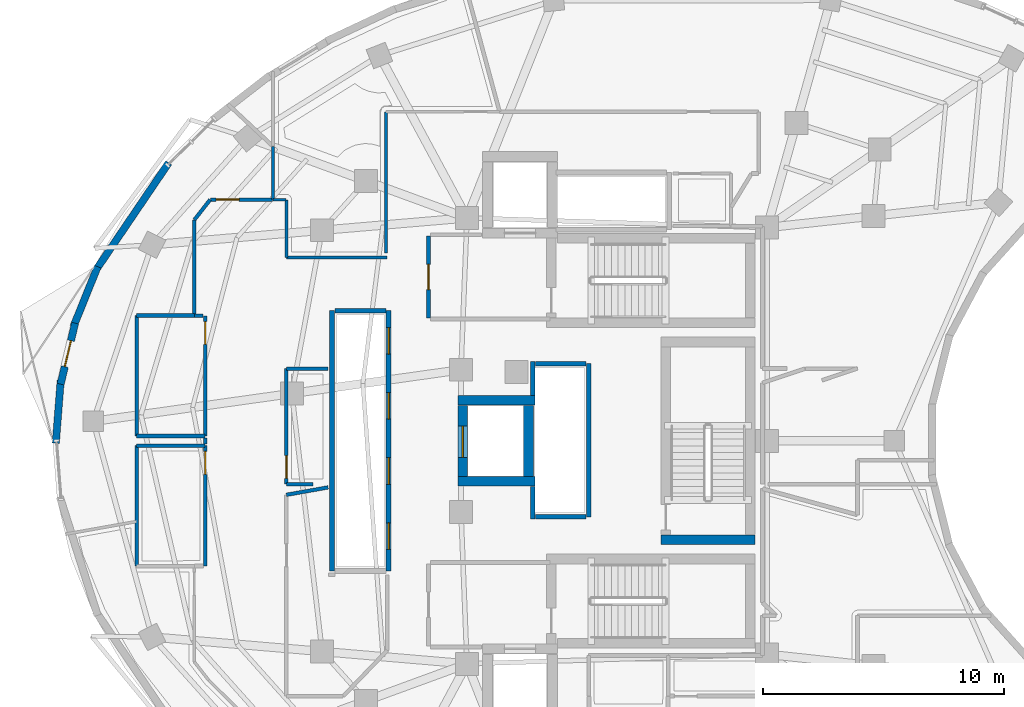
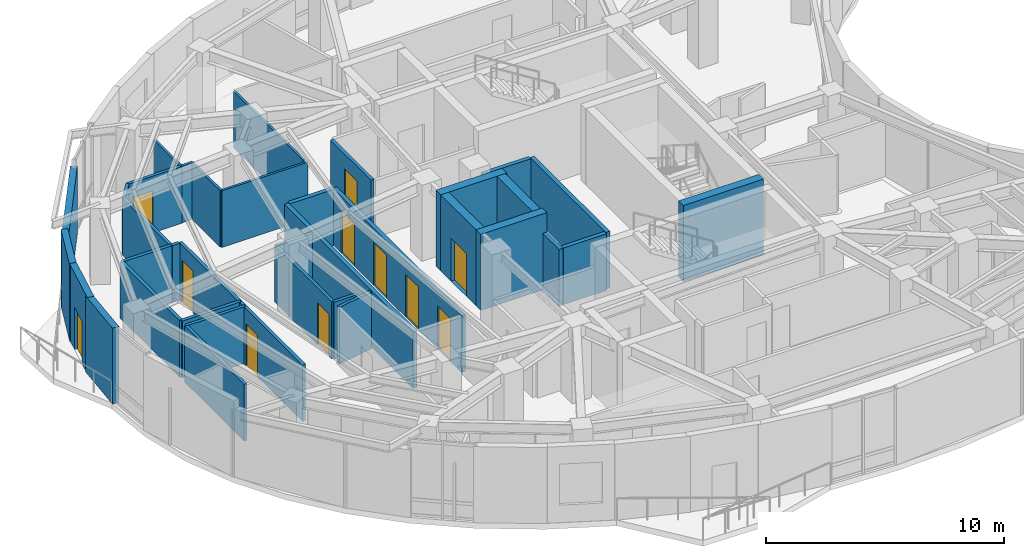
# One storey, part 8 of 14: 39 walls, 11 doors, 11 openings.
"""IFC4 building model written with IfcOpenShell, lengths in metres."""

import ifcopenshell
import ifcopenshell.guid

model = None  # the IFC model being written
_history = None  # IfcOwnerHistory: only IFC2X3 demands one
_inside = {}  # id of a spatial element -> (the spatial element, [elements in it])
_under = {}  # id of a project, library or spatial element -> (it, [spatial elements below it])
_declared = {}  # id of a project -> (the project, [libraries it declares])
_typed = {}  # id of a type object -> (the type object, [elements of that type])
_made_of = {}  # id of a material, layer set ... -> (it, [elements and type objects made of it])


def new_model(schema):
    """Start an empty IFC model of exactly this schema.

    Asked for "IFC4X3", IfcOpenShell would pick the latest addendum, in which some entities
    have other attributes; the version numbers below select the first issue.
    IFC2X3 requires an IfcOwnerHistory on every rooted entity: one is made here for all.
    """
    global model, _history
    if schema == "IFC4X3":
        model = ifcopenshell.file(schema_version=(4, 3, 0, 0))
    else:
        model = ifcopenshell.file(schema=schema)
    _inside.clear()
    _under.clear()
    _declared.clear()
    _typed.clear()
    _made_of.clear()
    _history = None
    if model.schema == "IFC2X3":
        org = make("IfcOrganization", Name="unknown")
        user = make(
            "IfcPersonAndOrganization",
            ThePerson=make("IfcPerson", FamilyName="unknown"),
            TheOrganization=org,
        )
        app = make(
            "IfcApplication",
            ApplicationDeveloper=org,
            Version="unknown",
            ApplicationFullName="unknown",
            ApplicationIdentifier="unknown",
        )
        _history = make(
            "IfcOwnerHistory",
            OwningUser=user,
            OwningApplication=app,
            ChangeAction="ADDED",
            CreationDate=0,
        )
    return model


def make(cls, **values):
    """One entity of the class cls with the attributes given. An attribute that is None is left unset."""
    return model.create_entity(
        cls, **{name: value for name, value in values.items() if value is not None}
    )


def rooted(cls, **values):
    """An entity with a GlobalId (a new one), such as an element, a storey or a relation."""
    return make(cls, GlobalId=ifcopenshell.guid.new(), OwnerHistory=_history, **values)


def si_unit(unit_type, name, prefix=None):
    """IfcSIUnit, for example si_unit("LENGTHUNIT", "METRE", prefix="MILLI")."""
    return make("IfcSIUnit", UnitType=unit_type, Prefix=prefix, Name=name)


def assignment(units):
    """IfcUnitAssignment: the units of a project."""
    return None if units is None else make("IfcUnitAssignment", Units=units)


def point(xyz):
    """IfcCartesianPoint."""
    return None if xyz is None else make("IfcCartesianPoint", Coordinates=xyz)


def direction(xyz):
    """IfcDirection."""
    return None if xyz is None else make("IfcDirection", DirectionRatios=xyz)


def frame(location, z_axis=None, x_axis=None):
    """IfcAxis2Placement3D, a coordinate frame: its origin and axes. An axis left out is left unset."""
    return make(
        "IfcAxis2Placement3D",
        Location=point(location),
        Axis=direction(z_axis),
        RefDirection=direction(x_axis),
    )


def frame_2d(location, x_axis=None):
    """IfcAxis2Placement2D, a coordinate frame in the plane: its origin and x axis."""
    return make(
        "IfcAxis2Placement2D", Location=point(location), RefDirection=direction(x_axis)
    )


def origin():
    """The frame at (0, 0, 0) with its axes left unset."""
    return frame((0.0, 0.0, 0.0))


def place(relative_to, where):
    """IfcLocalPlacement: puts the frame where relative to a parent placement (None: the world)."""
    return make(
        "IfcLocalPlacement", PlacementRelTo=relative_to, RelativePlacement=where
    )


def context(
    kind, dimensions, precision=None, world=None, true_north=None, identifier=None
):
    """IfcGeometricRepresentationContext, for example the 3D "Model" context."""
    return make(
        "IfcGeometricRepresentationContext",
        ContextIdentifier=identifier,
        ContextType=kind,
        CoordinateSpaceDimension=dimensions,
        Precision=precision,
        WorldCoordinateSystem=world,
        TrueNorth=true_north,
    )


def subcontext(parent, identifier, kind, view, scale=None):
    """IfcGeometricRepresentationSubContext, for example "Body" below "Model"."""
    return make(
        "IfcGeometricRepresentationSubContext",
        ContextIdentifier=identifier,
        ContextType=kind,
        ParentContext=parent,
        TargetScale=scale,
        TargetView=view,
    )


def project(units=None, contexts=None):
    """IfcProject with its units and contexts."""
    return rooted(
        "IfcProject",
        Name="project",
        RepresentationContexts=contexts,
        UnitsInContext=assignment(units),
    )


def spatial(cls, under=None, at=None, **own):
    """A site, building, storey or space (cls), placed at a placement, below another one or the project."""
    s = rooted(cls, ObjectPlacement=at, **own)
    if under is not None:
        _under.setdefault(under.id(), (under, []))[1].append(s)
    return s


def profile(cls, at=None, kind="AREA", **sizes):
    """A parametric profile (cls). Its sizes go by their IFC names, for example OverallWidth=200.0."""
    return make(cls, ProfileType=kind, Position=at, **sizes)


def rectangle(**sizes):
    """IfcRectangleProfileDef."""
    return profile("IfcRectangleProfileDef", **sizes)


def extrude(swept, where, along, depth):
    """IfcExtrudedAreaSolid: the profile swept, set in the frame where, extruded along a direction by depth."""
    return make(
        "IfcExtrudedAreaSolid",
        SweptArea=swept,
        Position=where,
        ExtrudedDirection=direction(along),
        Depth=depth,
    )


def shape(context_of_items, identifier, shape_type, items):
    """IfcShapeRepresentation: the items that make up one representation, for example the "Body"."""
    return make(
        "IfcShapeRepresentation",
        ContextOfItems=context_of_items,
        RepresentationIdentifier=identifier,
        RepresentationType=shape_type,
        Items=items,
    )


def material(Name=None, Category=None):
    """IfcMaterial."""
    return make("IfcMaterial", Name=Name, Category=Category)


def layer(
    of_material, thickness, ventilated=None, Name=None, Category=None, Priority=None
):
    """IfcMaterialLayer: one layer of a wall or slab, of a material (None: an air gap)."""
    return make(
        "IfcMaterialLayer",
        Material=of_material,
        LayerThickness=thickness,
        IsVentilated=ventilated,
        Name=Name,
        Category=Category,
        Priority=Priority,
    )


def layer_set(layers, Name=None):
    """IfcMaterialLayerSet."""
    return make("IfcMaterialLayerSet", MaterialLayers=layers, LayerSetName=Name)


def made_of(thing, what):
    """Note that an element or type object is made of a material, layer set ...; save() writes the relation."""
    if what is not None:
        _made_of.setdefault(what.id(), (what, []))[1].append(thing)
    return thing


def type_object(cls, material=None, **own):
    """A type object (cls), such as IfcWallType, which elements share."""
    return made_of(rooted(cls, **own), material)


def element(
    cls,
    number,
    at=None,
    inside=None,
    cuts=None,
    type_object=None,
    material=None,
    context=None,
    identifier="Body",
    shape_type=None,
    held_by="IfcProductDefinitionShape",
    body=None,
    shapes=None,
    **own,
):
    """One element of the class cls, such as IfcWall. Its Tag is "e" and its number.

    at: its placement. inside: the storey or other place that contains it. cuts: it is an
    opening in that element (IfcRelVoidsElement). A single representation is given by context,
    identifier, shape_type and body (its items); several are given by shapes. held_by: the class
    of the entity that holds the representations. save() writes the other relations.
    """
    e = rooted(cls, Tag="e%d" % number, ObjectPlacement=at, **own)
    if body is not None:
        shapes = [shape(context, identifier, shape_type, body)]
    if shapes is not None:
        e.Representation = make(held_by, Representations=shapes)
    if inside is not None:
        _inside.setdefault(inside.id(), (inside, []))[1].append(e)
    if cuts is not None:
        rooted(
            "IfcRelVoidsElement", RelatingBuildingElement=cuts, RelatedOpeningElement=e
        )
    if type_object is not None:
        _typed.setdefault(type_object.id(), (type_object, []))[1].append(e)
    return made_of(e, material)


def fill(opening, filler):
    """IfcRelFillsElement: the door or window that sits in an opening."""
    return rooted(
        "IfcRelFillsElement",
        RelatingOpeningElement=opening,
        RelatedBuildingElement=filler,
    )


def aggregate(whole, parts):
    """IfcRelAggregates: a whole, such as a stair, and the parts it consists of."""
    return rooted("IfcRelAggregates", RelatingObject=whole, RelatedObjects=parts)


def save(model, path):
    """Write the relations noted so far, then the file.

    IfcRelAggregates (storeys below a building ...), IfcRelContainedInSpatialStructure (elements
    in a storey), IfcRelDefinesByType, IfcRelAssociatesMaterial and IfcRelDeclares: one each for
    every whole, place, type object, material and project.
    """
    for whole, parts in _under.values():
        aggregate(whole, parts)
    for where, things in _inside.values():
        rooted(
            "IfcRelContainedInSpatialStructure",
            RelatedElements=things,
            RelatingStructure=where,
        )
    for kind, things in _typed.values():
        rooted("IfcRelDefinesByType", RelatedObjects=things, RelatingType=kind)
    for what, things in _made_of.values():
        rooted("IfcRelAssociatesMaterial", RelatedObjects=things, RelatingMaterial=what)
    for by, libraries in _declared.values():
        rooted("IfcRelDeclares", RelatingContext=by, RelatedDefinitions=libraries)
    model.write(path)


model = new_model("IFC4")

# Units and contexts
model_context = context("Model", 3, precision=1e-05, world=origin(), true_north=direction((0.0, 1.0)))
body_context = subcontext(model_context, "Body", "Model", "MODEL_VIEW")
ifc_project = project(units=[si_unit("LENGTHUNIT", "METRE"), si_unit("AREAUNIT", "SQUARE_METRE"), si_unit("VOLUMEUNIT", "CUBIC_METRE"), si_unit("PLANEANGLEUNIT", "RADIAN"), si_unit("MASSUNIT", "GRAM", prefix="KILO")], contexts=[model_context])

# Site, building, storey
site_placement = place(None, origin())
site = spatial("IfcSite", under=ifc_project, at=site_placement, CompositionType="ELEMENT")
building_placement = place(site_placement, origin())
building = spatial("IfcBuilding", under=site, at=building_placement, Name="Korentha Bioscience Tower", CompositionType="ELEMENT")
storey_placement = place(building_placement, frame((0.0, 0.0, 264.60009765625)))
storey = spatial("IfcBuildingStorey", under=building, at=storey_placement, Name="L61", CompositionType="ELEMENT", Elevation=264.60009765625)

# Wall, opening, door
ifc_material_1 = material(Name="Double-Stud Acoustic Gypsum", Category="gypsum")
ifc_layer_1 = layer(ifc_material_1, 0.14990234375, Name="Double-Stud Acoustic Gypsum")
ifc_layer_set_1 = layer_set([ifc_layer_1], Name="Double-Stud Acoustic Gypsum (IW-L150)")
wall_type_1 = type_object("IfcWallType", Name="Acoustic Laboratory Partition Wall 150", PredefinedType="PARTITIONING", material=ifc_layer_set_1)
wall_1_placement = place(storey_placement, frame((14.239990234375, 26.800048828125, 0.0), z_axis=(0.0, 0.0, 1.0), x_axis=(0.0, -1.0, 0.0)))
wall_1 = element("IfcWall", 1, at=wall_1_placement, inside=storey, type_object=wall_type_1, Name="L61 Reclaimed Bank-1 Cold Freezer Alcove Entrance Wall", PredefinedType="PARTITIONING", context=body_context, shape_type="SweptSolid", body=[
    extrude(rectangle(XDim=4.989990234375, YDim=0.14990234375, at=frame_2d((2.4951171875, 0.0))), origin(), (0.0, 0.0, 1.0), 2.909912109375),
])
opening_1_placement = place(wall_1_placement, frame((0.239990234375, 0.0, 0.0)))
opening_1 = element("IfcOpeningElement", 2, at=opening_1_placement, cuts=wall_1, Name="Opening ID-10R", PredefinedType="OPENING", context=body_context, shape_type="SweptSolid", body=[
    extrude(rectangle(XDim=0.949951171875, YDim=2.14990234375, at=frame_2d((0.47509765625, 1.074951171875))), frame((0.0, 0.08984375, 0.0), z_axis=(0.0, -1.0, 0.0), x_axis=(1.0, 0.0, 0.0)), (0.0, 0.0, 1.0), 0.1796875),
])
ifc_material_2 = material(Name="Phenolic Laminate Timber Core", Category="wood")
door_type_1 = type_object("IfcDoorType", Name="Laboratory Single Leaf Door 950x2150 Right", OperationType="SINGLE_SWING_RIGHT", PredefinedType="DOOR", material=ifc_material_2)
door_1_placement = place(opening_1_placement, origin())
door_1 = element("IfcDoor", 3, at=door_1_placement, inside=storey, type_object=door_type_1, Name="L61 Reclaimed Bank-1 Cold Freezer Alcove Door", OperationType="SINGLE_SWING_RIGHT", OverallHeight=2.14990234375, OverallWidth=0.949951171875, PredefinedType="DOOR", context=body_context, shape_type="SweptSolid", body=[
    extrude(rectangle(XDim=0.949951171875, YDim=2.14990234375, at=frame_2d((0.47509765625, 1.074951171875))), frame((0.0, 0.02490234375, 0.0), z_axis=(0.0, -1.0, 0.0), x_axis=(1.0, 0.0, 0.0)), (0.0, 0.0, 1.0), 0.050048828125),
])
fill(opening_1, door_1)

wall_2_placement = place(storey_placement, frame((17.0419921875, 37.010009765625, 0.0), z_axis=(0.0, 0.0, 1.0), x_axis=(-1.0, 0.0, 0.0)))
wall_2 = element("IfcWall", 4, at=wall_2_placement, inside=storey, type_object=wall_type_1, Name="L61 Peer-Review Conference Room 10 Entrance Wall", PredefinedType="PARTITIONING", context=body_context, shape_type="SweptSolid", body=[
    extrude(rectangle(XDim=2.58935546875, YDim=0.14990234375, at=frame_2d((1.294677734375, 0.0))), origin(), (0.0, 0.0, 1.0), 2.909912109375),
])
opening_2_placement = place(wall_2_placement, frame((1.3994140625, 0.0, 0.0)))
opening_2 = element("IfcOpeningElement", 5, at=opening_2_placement, cuts=wall_2, Name="Opening ID-10L", PredefinedType="OPENING", context=body_context, shape_type="SweptSolid", body=[
    extrude(rectangle(XDim=0.949951171875, YDim=2.14990234375, at=frame_2d((0.47509765625, 1.074951171875))), frame((0.0, 0.08984375, 0.0), z_axis=(0.0, -1.0, 0.0), x_axis=(1.0, 0.0, 0.0)), (0.0, 0.0, 1.0), 0.1796875),
])
door_type_2 = type_object("IfcDoorType", Name="Laboratory Single Leaf Door 950x2150 Left", OperationType="SINGLE_SWING_LEFT", PredefinedType="DOOR", material=ifc_material_2)
door_2_placement = place(opening_2_placement, origin())
door_2 = element("IfcDoor", 6, at=door_2_placement, inside=storey, type_object=door_type_2, Name="L61 Peer-Review Conference Room 10 Door", OperationType="SINGLE_SWING_LEFT", OverallHeight=2.14990234375, OverallWidth=0.949951171875, PredefinedType="DOOR", context=body_context, shape_type="SweptSolid", body=[
    extrude(rectangle(XDim=0.949951171875, YDim=2.14990234375, at=frame_2d((0.47509765625, 1.074951171875))), frame((0.0, 0.02490234375, 0.0), z_axis=(0.0, -1.0, 0.0), x_axis=(1.0, 0.0, 0.0)), (0.0, 0.0, 1.0), 0.050048828125),
])
fill(opening_2, door_2)

wall_3_placement = place(storey_placement, frame((17.610107421875, 25.201904296875, 0.0), z_axis=(0.0, 0.0, 1.0), x_axis=(0.0, 1.0, 0.0)))
wall_3 = element("IfcWall", 7, at=wall_3_placement, inside=storey, type_object=wall_type_1, Name="L61 Staff Tea and Espresso Break Lounge 11 Entrance Wall", PredefinedType="PARTITIONING", context=body_context, shape_type="SweptSolid", body=[
    extrude(rectangle(XDim=4.796142578125, YDim=0.14990234375, at=frame_2d((2.39794921875, 0.0))), origin(), (0.0, 0.0, 1.0), 2.909912109375),
])
opening_3_placement = place(wall_3_placement, frame((0.239990234375, 0.0, 0.0)))
opening_3 = element("IfcOpeningElement", 8, at=opening_3_placement, cuts=wall_3, Name="Opening ID-10R", PredefinedType="OPENING", context=body_context, shape_type="SweptSolid", body=[
    extrude(rectangle(XDim=0.949951171875, YDim=2.14990234375, at=frame_2d((0.47509765625, 1.074951171875))), frame((0.0, 0.08984375, 0.0), z_axis=(0.0, -1.0, 0.0), x_axis=(1.0, 0.0, 0.0)), (0.0, 0.0, 1.0), 0.1796875),
])
door_3_placement = place(opening_3_placement, origin())
door_3 = element("IfcDoor", 9, at=door_3_placement, inside=storey, type_object=door_type_1, Name="L61 Staff Tea and Espresso Break Lounge 11 Door", OperationType="SINGLE_SWING_RIGHT", OverallHeight=2.14990234375, OverallWidth=0.949951171875, PredefinedType="DOOR", context=body_context, shape_type="SweptSolid", body=[
    extrude(rectangle(XDim=0.949951171875, YDim=2.14990234375, at=frame_2d((0.47509765625, 1.074951171875))), frame((0.0, 0.02490234375, 0.0), z_axis=(0.0, -1.0, 0.0), x_axis=(1.0, 0.0, 0.0)), (0.0, 0.0, 1.0), 0.050048828125),
])
fill(opening_3, door_3)

# Walls
wall_4_placement = place(storey_placement, frame((11.39990234375, 21.800048828125, 0.0), z_axis=(0.0, 0.0, 1.0), x_axis=(0.0, 1.0, 0.0)))
element("IfcWall", 10, at=wall_4_placement, inside=storey, type_object=wall_type_1, Name="L61 Interior Partition 025", PredefinedType="PARTITIONING", context=body_context, shape_type="SweptSolid", body=[
    extrude(rectangle(XDim=5.0, YDim=0.14990234375, at=frame_2d((2.5, 0.0))), origin(), (0.0, 0.0, 1.0), 2.909912109375),
])
wall_5_placement = place(storey_placement, frame((11.39990234375, 26.800048828125, 0.0), z_axis=(0.0, 0.0, 1.0), x_axis=(1.0, 0.0, 0.0)))
element("IfcWall", 11, at=wall_5_placement, inside=storey, type_object=wall_type_1, Name="L61 Interior Partition 026", PredefinedType="PARTITIONING", context=body_context, shape_type="SweptSolid", body=[
    extrude(rectangle(XDim=2.840087890625, YDim=0.14990234375, at=frame_2d((1.419921875, 0.0))), origin(), (0.0, 0.0, 1.0), 2.909912109375),
])
wall_6_placement = place(storey_placement, frame((17.610107421875, 24.7626953125, 0.0), z_axis=(0.0, 0.0, 1.0), x_axis=(0.984503916892, 0.175362589008, 0.0)))
element("IfcWall", 12, at=wall_6_placement, inside=storey, type_object=wall_type_1, Name="L61 Interior Partition 041", PredefinedType="PARTITIONING", context=body_context, shape_type="SweptSolid", body=[
    extrude(rectangle(XDim=1.757080078125, YDim=0.14990234375, at=frame_2d((0.87841796875, 0.0))), origin(), (0.0, 0.0, 1.0), 2.909912109375),
])
wall_7_placement = place(storey_placement, frame((14.44482421875, 37.006103515625, 0.0), z_axis=(0.0, 0.0, 1.0), x_axis=(-0.615836200745, -0.787874211948, 0.0)))
element("IfcWall", 13, at=wall_7_placement, inside=storey, type_object=wall_type_1, Name="L61 Interior Partition 086", PredefinedType="PARTITIONING", context=body_context, shape_type="SweptSolid", body=[
    extrude(rectangle(XDim=1.06005859375, YDim=0.14990234375, at=frame_2d((0.530029296875, 0.0))), origin(), (0.0, 0.0, 1.0), 2.909912109375),
])
wall_8_placement = place(storey_placement, frame((13.7900390625, 36.164794921875, 0.0), z_axis=(0.0, 0.0, 1.0), x_axis=(0.0, -1.0, 0.0)))
element("IfcWall", 14, at=wall_8_placement, inside=storey, type_object=wall_type_1, Name="L61 Interior Partition 087", PredefinedType="PARTITIONING", context=body_context, shape_type="SweptSolid", body=[
    extrude(rectangle(XDim=3.954833984375, YDim=0.14990234375, at=frame_2d((1.9775390625, 0.0))), origin(), (0.0, 0.0, 1.0), 2.909912109375),
])
wall_9_placement = place(storey_placement, frame((14.239990234375, 27.116943359375, 0.0), z_axis=(0.0, 0.0, 1.0), x_axis=(0.0, -1.0, 0.0)))
element("IfcWall", 15, at=wall_9_placement, inside=storey, type_object=wall_type_1, Name="L61 Interior Partition 088", PredefinedType="PARTITIONING", context=body_context, shape_type="SweptSolid", body=[
    extrude(rectangle(XDim=0.239013671875, YDim=0.14990234375, at=frame_2d((0.11962890625, 0.0))), origin(), (0.0, 0.0, 1.0), 2.909912109375),
])
wall_10_placement = place(storey_placement, frame((18.70849609375, 25.201904296875, 0.0), z_axis=(0.0, 0.0, 1.0), x_axis=(-1.0, 0.0, 0.0)))
element("IfcWall", 16, at=wall_10_placement, inside=storey, type_object=wall_type_1, Name="L61 Interior Partition 089", PredefinedType="PARTITIONING", context=body_context, shape_type="SweptSolid", body=[
    extrude(rectangle(XDim=1.098388671875, YDim=0.14990234375, at=frame_2d((0.54931640625, 0.0))), origin(), (0.0, 0.0, 1.0), 2.909912109375),
])
wall_11_placement = place(storey_placement, frame((17.610107421875, 29.998046875, 0.0), z_axis=(0.0, 0.0, 1.0), x_axis=(1.0, 0.0, 0.0)))
element("IfcWall", 17, at=wall_11_placement, inside=storey, type_object=wall_type_1, Name="L61 Interior Partition 090", PredefinedType="PARTITIONING", context=body_context, shape_type="SweptSolid", body=[
    extrude(rectangle(XDim=1.72998046875, YDim=0.14990234375, at=frame_2d((0.864990234375, 0.0))), origin(), (0.0, 0.0, 1.0), 2.909912109375),
])
ifc_material_3 = material(Name="Fire-Rated Framed Glass", Category="glass")
ifc_layer_2 = layer(ifc_material_3, 0.110107421875, Name="Fire-Rated Framed Glass")
ifc_layer_set_2 = layer_set([ifc_layer_2], Name="Fire-Rated Framed Glass (IW-G110)")
wall_type_2 = type_object("IfcWallType", Name="Demountable Glazed Office Partition 110", PredefinedType="MOVABLE", material=ifc_layer_set_2)
wall_12_placement = place(storey_placement, frame((21.739990234375, 40.64990234375, 0.0), z_axis=(0.0, 0.0, 1.0), x_axis=(0.0, -1.0, 0.0)))
element("IfcWall", 18, at=wall_12_placement, inside=storey, type_object=wall_type_2, Name="L61 Interior Partition 080", PredefinedType="MOVABLE", context=body_context, shape_type="SweptSolid", body=[
    extrude(rectangle(XDim=5.849853515625, YDim=0.110107421875, at=frame_2d((2.9248046875, 0.0))), origin(), (0.0, 0.0, 1.0), 2.909912109375),
])
wall_13_placement = place(storey_placement, frame((21.7900390625, 34.610107421875, 0.0), z_axis=(0.0, 0.0, 1.0), x_axis=(-1.0, 0.0, 0.0)))
element("IfcWall", 19, at=wall_13_placement, inside=storey, type_object=wall_type_2, Name="L61 Interior Partition 081", PredefinedType="MOVABLE", context=body_context, shape_type="SweptSolid", body=[
    extrude(rectangle(XDim=4.179931640625, YDim=0.110107421875, at=frame_2d((2.08984375, 0.0))), origin(), (0.0, 0.0, 1.0), 2.909912109375),
])
wall_14_placement = place(storey_placement, frame((17.610107421875, 34.610107421875, 0.0), z_axis=(0.0, 0.0, 1.0), x_axis=(0.0, 1.0, 0.0)))
element("IfcWall", 20, at=wall_14_placement, inside=storey, type_object=wall_type_2, Name="L61 Interior Partition 082", PredefinedType="MOVABLE", context=body_context, shape_type="SweptSolid", body=[
    extrude(rectangle(XDim=2.389892578125, YDim=0.110107421875, at=frame_2d((1.19482421875, 0.0))), origin(), (0.0, 0.0, 1.0), 2.909912109375),
])
wall_15_placement = place(storey_placement, frame((17.60009765625, 37.010009765625, 0.0), z_axis=(0.0, 0.0, 1.0), x_axis=(-1.0, 0.0, 0.0)))
element("IfcWall", 21, at=wall_15_placement, inside=storey, type_object=wall_type_2, Name="L61 Interior Partition 083", PredefinedType="MOVABLE", context=body_context, shape_type="SweptSolid", body=[
    extrude(rectangle(XDim=0.548095703125, YDim=0.110107421875, at=frame_2d((0.27392578125, 0.0))), origin(), (0.0, 0.0, 1.0), 2.909912109375),
])
wall_16_placement = place(storey_placement, frame((17.052001953125, 37.010009765625, 0.0), z_axis=(0.0, 0.0, 1.0), x_axis=(0.0, 1.0, 0.0)))
element("IfcWall", 22, at=wall_16_placement, inside=storey, type_object=wall_type_2, Name="L61 Interior Partition 084", PredefinedType="MOVABLE", context=body_context, shape_type="SweptSolid", body=[
    extrude(rectangle(XDim=2.210205078125, YDim=0.110107421875, at=frame_2d((1.10498046875, 0.0))), origin(), (0.0, 0.0, 1.0), 2.909912109375),
])

# Wall, opening, door
ifc_material_4 = material(Name="Gypsum-Clad Steel Stud", Category="steel")
ifc_layer_3 = layer(ifc_material_4, 0.159912109375, Name="Gypsum-Clad Steel Stud")
ifc_layer_set_3 = layer_set([ifc_layer_3], Name="Gypsum-Clad Steel Stud (IW-C160)")
wall_type_3 = type_object("IfcWallType", Name="Fire-Rated Corridor Partition Wall 160", PredefinedType="PARTITIONING", material=ifc_layer_set_3)
wall_17_placement = place(storey_placement, frame((23.5, 32.10009765625, 0.0), z_axis=(0.0, 0.0, 1.0), x_axis=(0.0, 1.0, 0.0)))
wall_17 = element("IfcWall", 23, at=wall_17_placement, inside=storey, type_object=wall_type_3, Name="L61 FFLN-CW Rated Enclosure Wall", PredefinedType="PARTITIONING", context=body_context, shape_type="SweptSolid", body=[
    extrude(rectangle(XDim=3.39990234375, YDim=0.159912109375, at=frame_2d((1.699951171875, 0.0))), origin(), (0.0, 0.0, 1.0), 2.909912109375),
])
opening_4_placement = place(wall_17_placement, frame((1.175048828125, 0.0, 0.0)))
opening_4 = element("IfcOpeningElement", 24, at=opening_4_placement, cuts=wall_17, Name="Opening FD-90R", PredefinedType="OPENING", context=body_context, shape_type="SweptSolid", body=[
    extrude(rectangle(XDim=1.050048828125, YDim=2.14990234375, at=frame_2d((0.52490234375, 1.074951171875))), frame((0.0, 0.0947265625, 0.0), z_axis=(0.0, -1.0, 0.0), x_axis=(1.0, 0.0, 0.0)), (0.0, 0.0, 1.0), 0.189697265625),
])
ifc_material_5 = material(Name="Powder-Coated Fire-Rated Steel", Category="steel")
door_type_3 = type_object("IfcDoorType", Name="Stairwell Fire Exit Door 1050x2150 Right", OperationType="SINGLE_SWING_RIGHT", PredefinedType="DOOR", material=ifc_material_5)
door_4_placement = place(opening_4_placement, origin())
door_4 = element("IfcDoor", 25, at=door_4_placement, inside=storey, type_object=door_type_3, Name="L61 North Firefighting Lobby Door", OperationType="SINGLE_SWING_RIGHT", OverallHeight=2.14990234375, OverallWidth=1.050048828125, PredefinedType="DOOR", context=body_context, shape_type="SweptSolid", body=[
    extrude(rectangle(XDim=1.050048828125, YDim=2.14990234375, at=frame_2d((0.52490234375, 1.074951171875))), frame((0.0, 0.02490234375, 0.0), z_axis=(0.0, -1.0, 0.0), x_axis=(1.0, 0.0, 0.0)), (0.0, 0.0, 1.0), 0.050048828125),
])
fill(opening_4, door_4)

wall_18_placement = place(storey_placement, frame((14.239990234375, 32.18994140625, 0.0), z_axis=(0.0, 0.0, 1.0), x_axis=(0.0, -1.0, 0.0)))
wall_18 = element("IfcWall", 26, at=wall_18_placement, inside=storey, type_object=wall_type_3, Name="L61 Reclaimed Bank-1 Glassware Store Entrance Wall", PredefinedType="PARTITIONING", context=body_context, shape_type="SweptSolid", body=[
    extrude(rectangle(XDim=4.989990234375, YDim=0.159912109375, at=frame_2d((2.4951171875, 0.0))), origin(), (0.0, 0.0, 1.0), 2.909912109375),
])
opening_5_placement = place(wall_18_placement, frame((0.239990234375, 0.0, 0.0)))
opening_5 = element("IfcOpeningElement", 27, at=opening_5_placement, cuts=wall_18, Name="Opening ID-10L", PredefinedType="OPENING", context=body_context, shape_type="SweptSolid", body=[
    extrude(rectangle(XDim=0.949951171875, YDim=2.14990234375, at=frame_2d((0.47509765625, 1.074951171875))), frame((0.0, 0.0947265625, 0.0), z_axis=(0.0, -1.0, 0.0), x_axis=(1.0, 0.0, 0.0)), (0.0, 0.0, 1.0), 0.189697265625),
])
door_5_placement = place(opening_5_placement, origin())
door_5 = element("IfcDoor", 28, at=door_5_placement, inside=storey, type_object=door_type_2, Name="L61 Reclaimed Bank-1 Glassware Store Door", OperationType="SINGLE_SWING_LEFT", OverallHeight=2.14990234375, OverallWidth=0.949951171875, PredefinedType="DOOR", context=body_context, shape_type="SweptSolid", body=[
    extrude(rectangle(XDim=0.949951171875, YDim=2.14990234375, at=frame_2d((0.47509765625, 1.074951171875))), frame((0.0, 0.02490234375, 0.0), z_axis=(0.0, -1.0, 0.0), x_axis=(1.0, 0.0, 0.0)), (0.0, 0.0, 1.0), 0.050048828125),
])
fill(opening_5, door_5)

# Walls
wall_19_placement = place(storey_placement, frame((13.800048828125, 32.18994140625, 0.0), z_axis=(0.0, 0.0, 1.0), x_axis=(1.0, 0.0, 0.0)))
element("IfcWall", 29, at=wall_19_placement, inside=storey, type_object=wall_type_3, Name="L61 Interior Partition 027", PredefinedType="PARTITIONING", context=body_context, shape_type="SweptSolid", body=[
    extrude(rectangle(XDim=0.35693359375, YDim=0.159912109375, at=frame_2d((0.178466796875, 0.0))), origin(), (0.0, 0.0, 1.0), 2.909912109375),
])
wall_20_placement = place(storey_placement, frame((14.239990234375, 27.199951171875, 0.0), z_axis=(0.0, 0.0, 1.0), x_axis=(-1.0, 0.0, 0.0)))
element("IfcWall", 30, at=wall_20_placement, inside=storey, type_object=wall_type_3, Name="L61 Interior Partition 028", PredefinedType="PARTITIONING", context=body_context, shape_type="SweptSolid", body=[
    extrude(rectangle(XDim=2.840087890625, YDim=0.159912109375, at=frame_2d((1.419921875, 0.0))), origin(), (0.0, 0.0, 1.0), 2.909912109375),
])
wall_21_placement = place(storey_placement, frame((11.39990234375, 27.199951171875, 0.0), z_axis=(0.0, 0.0, 1.0), x_axis=(0.0, 1.0, 0.0)))
element("IfcWall", 31, at=wall_21_placement, inside=storey, type_object=wall_type_3, Name="L61 Interior Partition 029", PredefinedType="PARTITIONING", context=body_context, shape_type="SweptSolid", body=[
    extrude(rectangle(XDim=5.0, YDim=0.159912109375, at=frame_2d((2.5, 0.0))), origin(), (0.0, 0.0, 1.0), 2.909912109375),
])
wall_22_placement = place(storey_placement, frame((11.39990234375, 32.199951171875, 0.0), z_axis=(0.0, 0.0, 1.0), x_axis=(1.0, 0.0, 0.0)))
element("IfcWall", 32, at=wall_22_placement, inside=storey, type_object=wall_type_3, Name="L61 Interior Partition 030", PredefinedType="PARTITIONING", context=body_context, shape_type="SweptSolid", body=[
    extrude(rectangle(XDim=2.39013671875, YDim=0.159912109375, at=frame_2d((1.195068359375, 0.0))), origin(), (0.0, 0.0, 1.0), 2.909912109375),
])

# Wall, opening, door
ifc_material_6 = material(Name="Honed Limestone Precast Concrete C40", Category="masonry")
ifc_layer_4 = layer(ifc_material_6, 0.300048828125, Name="Honed Limestone Precast Concrete C40")
ifc_layer_set_4 = layer_set([ifc_layer_4], Name="Honed Limestone Precast Concrete C40 (EW-ST300)")
wall_type_4 = type_object("IfcWallType", Name="Honed Limestone Cavity Spandrel Wall 300", PredefinedType="STANDARD", material=ifc_layer_set_4)
wall_23_placement = place(storey_placement, frame((8.842529296875, 31.88330078125, 0.0), z_axis=(0.0, 0.0, 1.0), x_axis=(-0.230698003521, -0.973025401093, 0.0)))
wall_23 = element("IfcWall", 33, at=wall_23_placement, inside=storey, type_object=wall_type_4, Name="L61 Balcony Threshold Wall 02", PredefinedType="STANDARD", context=body_context, shape_type="SweptSolid", body=[
    extrude(rectangle(XDim=2.60009765625, YDim=0.300048828125, at=frame_2d((1.300048828125, 0.0))), origin(), (0.0, 0.0, 1.0), 3.89990234375),
])
opening_6_placement = place(wall_23_placement, frame((0.75, 0.0, 0.0)))
opening_6 = element("IfcOpeningElement", 34, at=opening_6_placement, cuts=wall_23, Name="Opening BD-11R", PredefinedType="OPENING", context=body_context, shape_type="SweptSolid", body=[
    extrude(rectangle(XDim=1.10009765625, YDim=2.14990234375, at=frame_2d((0.550048828125, 1.074951171875))), frame((0.0, 0.1650390625, 0.0), z_axis=(0.0, -1.0, 0.0), x_axis=(1.0, 0.0, 0.0)), (0.0, 0.0, 1.0), 0.329833984375),
])
ifc_material_7 = material(Name="Thermally Broken Glazed Aluminium", Category="aluminium")
door_type_4 = type_object("IfcDoorType", Name="Balcony Terrace Glazed Door 1100x2150 Right", OperationType="SINGLE_SWING_RIGHT", PredefinedType="DOOR", material=ifc_material_7)
door_6_placement = place(opening_6_placement, origin())
door_6 = element("IfcDoor", 35, at=door_6_placement, inside=storey, type_object=door_type_4, Name="L61 Balcony Access Door 02", OperationType="SINGLE_SWING_RIGHT", OverallHeight=2.14990234375, OverallWidth=1.10009765625, PredefinedType="DOOR", context=body_context, shape_type="SweptSolid", body=[
    extrude(rectangle(XDim=1.10009765625, YDim=2.14990234375, at=frame_2d((0.550048828125, 1.074951171875))), frame((0.0, 0.02490234375, 0.0), z_axis=(0.0, -1.0, 0.0), x_axis=(1.0, 0.0, 0.0)), (0.0, 0.0, 1.0), 0.050048828125),
])
fill(opening_6, door_6)

# Walls
wall_24_placement = place(storey_placement, frame((12.72509765625, 38.533935546875, 0.0), z_axis=(0.0, 0.0, 1.0), x_axis=(-0.561547791281, -0.827444305139, 0.0)))
element("IfcWall", 36, at=wall_24_placement, inside=storey, type_object=wall_type_4, Name="L61 Limestone Perimeter Closure Wall 14", PredefinedType="STANDARD", context=body_context, shape_type="SweptSolid", body=[
    extrude(rectangle(XDim=5.4072265625, YDim=0.300048828125, at=frame_2d((2.70361328125, 0.0))), origin(), (0.0, 0.0, 1.0), 3.469970703125),
])
wall_25_placement = place(storey_placement, frame((9.777587890625, 34.2265625, 0.0), z_axis=(0.0, 0.0, 1.0), x_axis=(-0.373974639596, -0.927438930032, 0.0)))
element("IfcWall", 37, at=wall_25_placement, inside=storey, type_object=wall_type_4, Name="L61 Limestone Perimeter Closure Wall 16", PredefinedType="STANDARD", context=body_context, shape_type="SweptSolid", body=[
    extrude(rectangle(XDim=2.686279296875, YDim=0.300048828125, at=frame_2d((1.34326171875, 0.0))), origin(), (0.0, 0.0, 1.0), 3.89990234375),
])
wall_26_placement = place(storey_placement, frame((8.24658203125, 29.517333984375, 0.0), z_axis=(0.0, 0.0, 1.0), x_axis=(-0.078109406708, -0.996944793147, 0.0)))
element("IfcWall", 38, at=wall_26_placement, inside=storey, type_object=wall_type_4, Name="L61 Limestone Perimeter Closure Wall 18", PredefinedType="STANDARD", context=body_context, shape_type="SweptSolid", body=[
    extrude(rectangle(XDim=2.6162109375, YDim=0.300048828125, at=frame_2d((1.30810546875, 0.0))), origin(), (0.0, 0.0, 1.0), 3.89990234375),
])
ifc_material_8 = material(Name="Autoclaved Aerated Concrete Block C25", Category="concrete")
ifc_layer_5 = layer(ifc_material_8, 0.199951171875, Name="Autoclaved Aerated Concrete Block C25")
ifc_layer_set_5 = layer_set([ifc_layer_5], Name="Autoclaved Aerated Concrete Block C25 (IW-S200)")
wall_type_5 = type_object("IfcWallType", Name="Lift and Riser Shaft Enclosure Wall 200", PredefinedType="PARTITIONING", material=ifc_layer_set_5)
wall_27_placement = place(storey_placement, frame((19.5, 21.60009765625, 0.0), z_axis=(0.0, 0.0, 1.0), x_axis=(0.0, 1.0, 0.0)))
element("IfcWall", 39, at=wall_27_placement, inside=storey, type_object=wall_type_5, Name="L61 Lift Bank MID Shaft Wall -X", PredefinedType="PARTITIONING", context=body_context, shape_type="SweptSolid", body=[
    extrude(rectangle(XDim=10.7998046875, YDim=0.199951171875, at=frame_2d((5.39990234375, 0.0))), origin(), (0.0, 0.0, 1.0), 2.909912109375),
])

# Wall, openings, doors
wall_28_placement = place(storey_placement, frame((21.85009765625, 21.60009765625, 0.0), z_axis=(0.0, 0.0, 1.0), x_axis=(0.0, 1.0, 0.0)))
wall_28 = element("IfcWall", 40, at=wall_28_placement, inside=storey, type_object=wall_type_5, Name="L61 Lift Bank MID Shaft Wall +X", PredefinedType="PARTITIONING", context=body_context, shape_type="SweptSolid", body=[
    extrude(rectangle(XDim=10.7998046875, YDim=0.199951171875, at=frame_2d((5.39990234375, 0.0))), origin(), (0.0, 0.0, 1.0), 2.909912109375),
])
opening_7_placement = place(wall_28_placement, frame((0.89990234375, 0.0, 0.0)))
opening_7 = element("IfcOpeningElement", 41, at=opening_7_placement, cuts=wall_28, Name="Opening LD-11", PredefinedType="OPENING", context=body_context, shape_type="SweptSolid", body=[
    extrude(rectangle(XDim=1.10009765625, YDim=2.199951171875, at=frame_2d((0.550048828125, 1.10009765625))), frame((0.0, 0.11474609375, 0.0), z_axis=(0.0, -1.0, 0.0), x_axis=(1.0, 0.0, 0.0)), (0.0, 0.0, 1.0), 0.229736328125),
])
opening_8_placement = place(wall_28_placement, frame((3.60009765625, 0.0, 0.0)))
opening_8 = element("IfcOpeningElement", 42, at=opening_8_placement, cuts=wall_28, Name="Opening LD-11", PredefinedType="OPENING", context=body_context, shape_type="SweptSolid", body=[
    extrude(rectangle(XDim=1.10009765625, YDim=2.199951171875, at=frame_2d((0.550048828125, 1.10009765625))), frame((0.0, 0.11474609375, 0.0), z_axis=(0.0, -1.0, 0.0), x_axis=(1.0, 0.0, 0.0)), (0.0, 0.0, 1.0), 0.229736328125),
])
opening_9_placement = place(wall_28_placement, frame((6.300048828125, 0.0, 0.0)))
opening_9 = element("IfcOpeningElement", 43, at=opening_9_placement, cuts=wall_28, Name="Opening LD-11", PredefinedType="OPENING", context=body_context, shape_type="SweptSolid", body=[
    extrude(rectangle(XDim=1.10009765625, YDim=2.199951171875, at=frame_2d((0.550048828125, 1.10009765625))), frame((0.0, 0.11474609375, 0.0), z_axis=(0.0, -1.0, 0.0), x_axis=(1.0, 0.0, 0.0)), (0.0, 0.0, 1.0), 0.229736328125),
])
opening_10_placement = place(wall_28_placement, frame((9.0, 0.0, 0.0)))
opening_10 = element("IfcOpeningElement", 44, at=opening_10_placement, cuts=wall_28, Name="Opening LD-11", PredefinedType="OPENING", context=body_context, shape_type="SweptSolid", body=[
    extrude(rectangle(XDim=1.10009765625, YDim=2.199951171875, at=frame_2d((0.550048828125, 1.10009765625))), frame((0.0, 0.11474609375, 0.0), z_axis=(0.0, -1.0, 0.0), x_axis=(1.0, 0.0, 0.0)), (0.0, 0.0, 1.0), 0.229736328125),
])
ifc_material_9 = material(Name="Brushed Stainless Steel 304", Category="steel")
door_type_5 = type_object("IfcDoorType", Name="Passenger Lift Sliding Landing Door 1100x2200", OperationType="DOUBLE_DOOR_SLIDING", PredefinedType="DOOR", material=ifc_material_9)
door_7_placement = place(opening_7_placement, origin())
door_7 = element("IfcDoor", 45, at=door_7_placement, inside=storey, type_object=door_type_5, Name="L61 PL-M1 Sliding Lift Landing Door", OperationType="DOUBLE_DOOR_SLIDING", OverallHeight=2.199951171875, OverallWidth=1.10009765625, PredefinedType="DOOR", context=body_context, shape_type="SweptSolid", body=[
    extrude(rectangle(XDim=1.10009765625, YDim=2.199951171875, at=frame_2d((0.550048828125, 1.10009765625))), frame((0.0, 0.02490234375, 0.0), z_axis=(0.0, -1.0, 0.0), x_axis=(1.0, 0.0, 0.0)), (0.0, 0.0, 1.0), 0.050048828125),
])
fill(opening_7, door_7)
door_8_placement = place(opening_8_placement, origin())
door_8 = element("IfcDoor", 46, at=door_8_placement, inside=storey, type_object=door_type_5, Name="L61 PL-M2 Sliding Lift Landing Door", OperationType="DOUBLE_DOOR_SLIDING", OverallHeight=2.199951171875, OverallWidth=1.10009765625, PredefinedType="DOOR", context=body_context, shape_type="SweptSolid", body=[
    extrude(rectangle(XDim=1.10009765625, YDim=2.199951171875, at=frame_2d((0.550048828125, 1.10009765625))), frame((0.0, 0.02490234375, 0.0), z_axis=(0.0, -1.0, 0.0), x_axis=(1.0, 0.0, 0.0)), (0.0, 0.0, 1.0), 0.050048828125),
])
fill(opening_8, door_8)
door_9_placement = place(opening_9_placement, origin())
door_9 = element("IfcDoor", 47, at=door_9_placement, inside=storey, type_object=door_type_5, Name="L61 PL-M3 Sliding Lift Landing Door", OperationType="DOUBLE_DOOR_SLIDING", OverallHeight=2.199951171875, OverallWidth=1.10009765625, PredefinedType="DOOR", context=body_context, shape_type="SweptSolid", body=[
    extrude(rectangle(XDim=1.10009765625, YDim=2.199951171875, at=frame_2d((0.550048828125, 1.10009765625))), frame((0.0, 0.02490234375, 0.0), z_axis=(0.0, -1.0, 0.0), x_axis=(1.0, 0.0, 0.0)), (0.0, 0.0, 1.0), 0.050048828125),
])
fill(opening_9, door_9)
door_10_placement = place(opening_10_placement, origin())
door_10 = element("IfcDoor", 48, at=door_10_placement, inside=storey, type_object=door_type_5, Name="L61 PL-M4 Sliding Lift Landing Door", OperationType="DOUBLE_DOOR_SLIDING", OverallHeight=2.199951171875, OverallWidth=1.10009765625, PredefinedType="DOOR", context=body_context, shape_type="SweptSolid", body=[
    extrude(rectangle(XDim=1.10009765625, YDim=2.199951171875, at=frame_2d((0.550048828125, 1.10009765625))), frame((0.0, 0.02490234375, 0.0), z_axis=(0.0, -1.0, 0.0), x_axis=(1.0, 0.0, 0.0)), (0.0, 0.0, 1.0), 0.050048828125),
])
fill(opening_10, door_10)

# Walls
wall_29_placement = place(storey_placement, frame((19.6201171875, 32.39990234375, 0.0), z_axis=(0.0, 0.0, 1.0), x_axis=(1.0, 0.0, 0.0)))
element("IfcWall", 49, at=wall_29_placement, inside=storey, type_object=wall_type_5, Name="L61 Lift Bank MID Shaft Wall +Y", PredefinedType="PARTITIONING", context=body_context, shape_type="SweptSolid", body=[
    extrude(rectangle(XDim=2.10986328125, YDim=0.199951171875, at=frame_2d((1.054931640625, 0.0))), origin(), (0.0, 0.0, 1.0), 2.909912109375),
])
wall_30_placement = place(storey_placement, frame((27.830078125, 23.75, 0.0), z_axis=(0.0, 0.0, 1.0), x_axis=(0.0, 1.0, 0.0)))
element("IfcWall", 50, at=wall_30_placement, inside=storey, type_object=wall_type_5, Name="L61 Lift Bank HIGH Shaft Wall -XS", PredefinedType="PARTITIONING", context=body_context, shape_type="SweptSolid", body=[
    extrude(rectangle(XDim=1.365966796875, YDim=0.199951171875, at=frame_2d((0.68310546875, 0.0))), origin(), (0.0, 0.0, 1.0), 2.909912109375),
])
wall_31_placement = place(storey_placement, frame((27.830078125, 28.884033203125, 0.0), z_axis=(0.0, 0.0, 1.0), x_axis=(0.0, 1.0, 0.0)))
element("IfcWall", 51, at=wall_31_placement, inside=storey, type_object=wall_type_5, Name="L61 Lift Bank HIGH Shaft Wall -XN", PredefinedType="PARTITIONING", context=body_context, shape_type="SweptSolid", body=[
    extrude(rectangle(XDim=1.416015625, YDim=0.199951171875, at=frame_2d((0.7080078125, 0.0))), origin(), (0.0, 0.0, 1.0), 2.909912109375),
])
wall_32_placement = place(storey_placement, frame((30.14990234375, 23.85009765625, 0.0), z_axis=(0.0, 0.0, 1.0), x_axis=(0.0, 1.0, 0.0)))
element("IfcWall", 52, at=wall_32_placement, inside=storey, type_object=wall_type_5, Name="L61 Lift Bank HIGH Shaft Wall +X", PredefinedType="PARTITIONING", context=body_context, shape_type="SweptSolid", body=[
    extrude(rectangle(XDim=6.349853515625, YDim=0.199951171875, at=frame_2d((3.1748046875, 0.0))), origin(), (0.0, 0.0, 1.0), 2.909912109375),
])
for number, where, z_axis, x_axis, name in (
    (53, (27.93408203125, 23.85009765625, 0.0), (0.0, 0.0, 1.0), (1.0, 0.0, 0.0), "L61 Lift Bank HIGH Shaft Wall -Y"),
    (54, (27.93408203125, 30.199951171875, 0.0), (0.0, 0.0, 1.0), (1.0, 0.0, 0.0), "L61 Lift Bank HIGH Shaft Wall +Y"),
):
    element("IfcWall", number, at=place(storey_placement, frame(where, z_axis=z_axis, x_axis=x_axis)), inside=storey, type_object=wall_type_5, Name=name, PredefinedType="PARTITIONING", context=body_context, shape_type="SweptSolid", body=[
        extrude(rectangle(XDim=2.095947265625, YDim=0.199951171875, at=frame_2d((1.0478515625, 0.0))), origin(), (0.0, 0.0, 1.0), 2.909912109375),
    ])
ifc_material_10 = material(Name="Concrete C65", Category="concrete")
ifc_layer_6 = layer(ifc_material_10, 0.39990234375, Name="Concrete C65")
ifc_layer_set_6 = layer_set([ifc_layer_6], Name="Concrete C65 (CW-C65)")
wall_type_6 = type_object("IfcWallType", Name="Mid-Rise Core Shear Wall 400", PredefinedType="SHEAR", material=ifc_layer_set_6)
wall_33_placement = place(storey_placement, frame((33.14990234375, 22.89990234375, 0.0), z_axis=(0.0, 0.0, 1.0), x_axis=(1.0, 0.0, 0.0)))
element("IfcWall", 55, at=wall_33_placement, inside=storey, type_object=wall_type_6, Name="L61 Core Shear Wall ST3-S", PredefinedType="SHEAR", context=body_context, shape_type="SweptSolid", body=[
    extrude(rectangle(XDim=3.900146484375, YDim=0.39990234375, at=frame_2d((1.9501953125, 0.0))), origin(), (0.0, 0.0, 1.0), 3.89990234375),
])
for number, where, z_axis, x_axis, name in (
    (56, (24.719970703125, 28.679931640625, 0.0), (0.0, 0.0, 1.0), (1.0, 0.0, 0.0), "L61 Core Shear Wall SVL1-N"),
    (57, (24.719970703125, 25.320068359375, 0.0), (0.0, 0.0, 1.0), (1.0, 0.0, 0.0), "L61 Core Shear Wall SVL1-S"),
):
    element("IfcWall", number, at=place(storey_placement, frame(where, z_axis=z_axis, x_axis=x_axis)), inside=storey, type_object=wall_type_6, Name=name, PredefinedType="SHEAR", context=body_context, shape_type="SweptSolid", body=[
        extrude(rectangle(XDim=3.2099609375, YDim=0.39990234375, at=frame_2d((1.60498046875, 0.0))), origin(), (0.0, 0.0, 1.0), 3.89990234375),
    ])

# Wall, opening, door
wall_34_placement = place(storey_placement, frame((24.919921875, 25.52197265625, 0.0), z_axis=(0.0, 0.0, 1.0), x_axis=(0.0, 1.0, 0.0)))
wall_34 = element("IfcWall", 58, at=wall_34_placement, inside=storey, type_object=wall_type_6, Name="L61 Core Shear Wall SVL1-W", PredefinedType="SHEAR", context=body_context, shape_type="SweptSolid", body=[
    extrude(rectangle(XDim=2.9560546875, YDim=0.39990234375, at=frame_2d((1.47802734375, 0.0))), origin(), (0.0, 0.0, 1.0), 3.89990234375),
])
opening_11_placement = place(wall_34_placement, frame((0.7900390625, 0.0, 0.0)))
opening_11 = element("IfcOpeningElement", 59, at=opening_11_placement, cuts=wall_34, Name="Opening LD-13", PredefinedType="OPENING", context=body_context, shape_type="SweptSolid", body=[
    extrude(rectangle(XDim=1.300048828125, YDim=2.199951171875, at=frame_2d((0.64990234375, 1.10009765625))), frame((0.0, 0.21484375, 0.0), z_axis=(0.0, -1.0, 0.0), x_axis=(1.0, 0.0, 0.0)), (0.0, 0.0, 1.0), 0.4296875),
])
ifc_material_11 = material(Name="Brushed Stainless Steel 316", Category="steel")
door_type_6 = type_object("IfcDoorType", Name="Service & Firefighting Lift Landing Door 1300x2300", OperationType="DOUBLE_DOOR_SLIDING", PredefinedType="DOOR", material=ifc_material_11)
door_11_placement = place(opening_11_placement, origin())
door_11 = element("IfcDoor", 60, at=door_11_placement, inside=storey, type_object=door_type_6, Name="L61 SVL-1 Sliding Lift Landing Door", OperationType="DOUBLE_DOOR_SLIDING", OverallHeight=2.199951171875, OverallWidth=1.300048828125, PredefinedType="DOOR", context=body_context, shape_type="SweptSolid", body=[
    extrude(rectangle(XDim=1.300048828125, YDim=2.199951171875, at=frame_2d((0.64990234375, 1.10009765625))), frame((0.0, 0.02490234375, 0.0), z_axis=(0.0, -1.0, 0.0), x_axis=(1.0, 0.0, 0.0)), (0.0, 0.0, 1.0), 0.050048828125),
])
fill(opening_11, door_11)

# Wall
wall_35_placement = place(storey_placement, frame((27.64990234375, 25.52197265625, 0.0), z_axis=(0.0, 0.0, 1.0), x_axis=(0.0, 1.0, 0.0)))
element("IfcWall", 61, at=wall_35_placement, inside=storey, type_object=wall_type_6, Name="L61 Core Shear Wall SVL1-E", PredefinedType="SHEAR", context=body_context, shape_type="SweptSolid", body=[
    extrude(rectangle(XDim=2.9560546875, YDim=0.39990234375, at=frame_2d((1.47802734375, 0.0))), origin(), (0.0, 0.0, 1.0), 3.89990234375),
])

save(model, "model.ifc")
